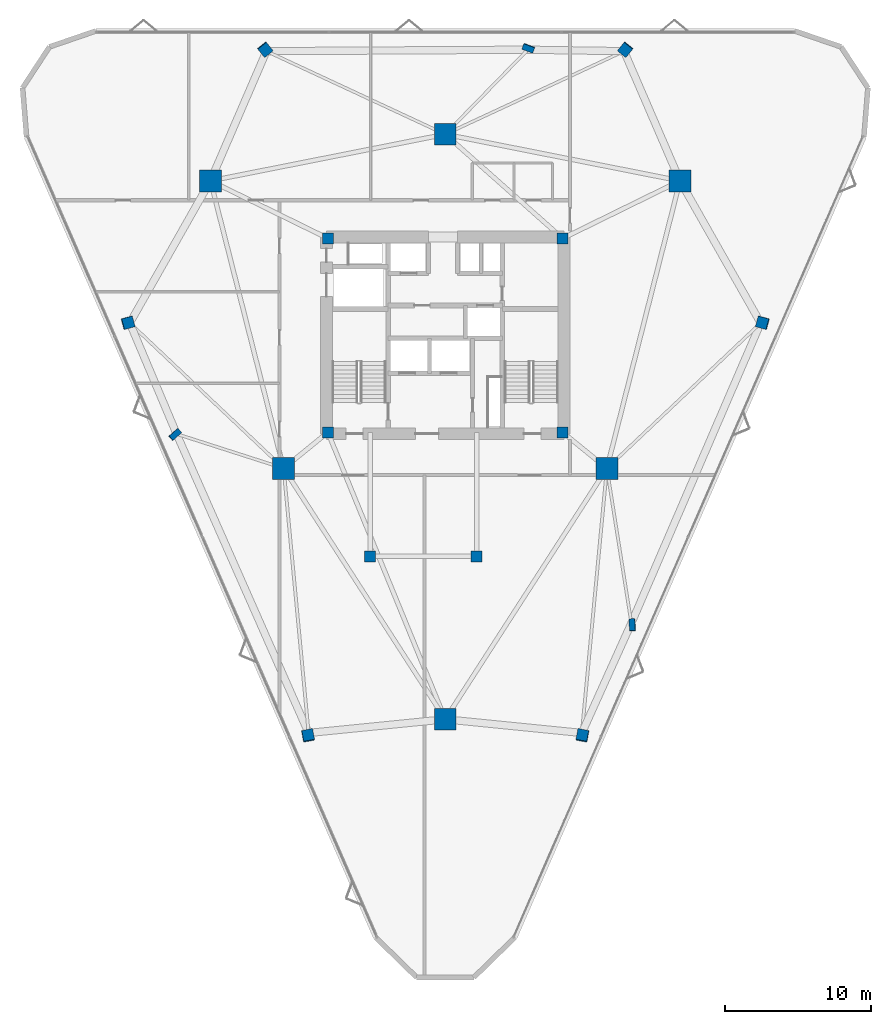
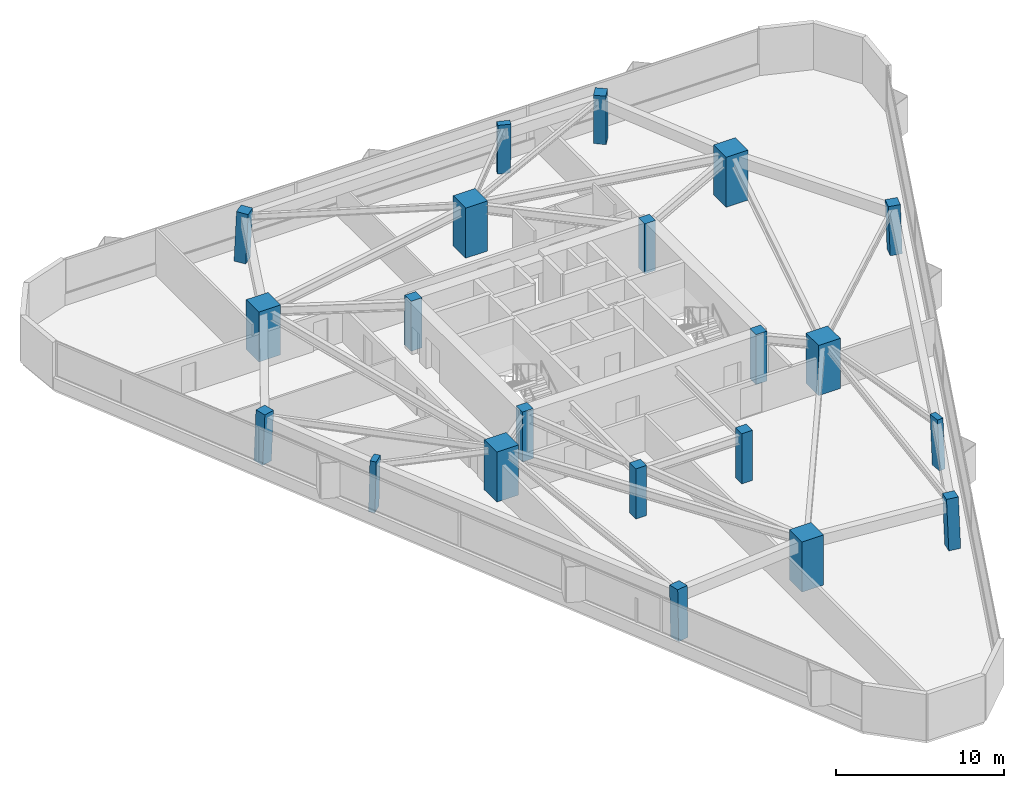
# One storey, part 1 of 14: 21 columns.
"""IFC4 building model written with IfcOpenShell, lengths in metres."""

from ifc_helpers import new_model, si_unit, direction, frame, origin, origin_2d, place, context, subcontext, project, spatial, rectangle, extrude, material, material_profile, profile_set, type_object, element, save


model = new_model("IFC4")

# Units and contexts
model_context = context("Model", 3, precision=1e-05, world=origin(), true_north=direction((0.0, 1.0)))
body_context = subcontext(model_context, "Body", "Model", "MODEL_VIEW")
ifc_project = project(units=[si_unit("LENGTHUNIT", "METRE"), si_unit("AREAUNIT", "SQUARE_METRE"), si_unit("VOLUMEUNIT", "CUBIC_METRE"), si_unit("PLANEANGLEUNIT", "RADIAN"), si_unit("MASSUNIT", "GRAM", prefix="KILO")], contexts=[model_context])

# Site, building, storey
site_placement = place(None, origin())
site = spatial("IfcSite", under=ifc_project, at=site_placement, CompositionType="ELEMENT")
building_placement = place(site_placement, origin())
building = spatial("IfcBuilding", under=site, at=building_placement, Name="Talyreon Biosciences Tower", CompositionType="ELEMENT")
storey_placement = place(building_placement, frame((0.0, 0.0, 141.800048828125)))
storey = spatial("IfcBuildingStorey", under=building, at=storey_placement, Name="L37", CompositionType="ELEMENT", Elevation=141.800048828125)

# Columns
ifc_material_1 = material(Name="Precast concrete C45/55", Category="concrete")
ifc_material_profile_1 = material_profile(ifc_material_1, rectangle(XDim=0.800048828125, YDim=0.39990234375, at=origin_2d()), Name="RC 800x400")
ifc_profile_set_1 = profile_set([ifc_material_profile_1], Name="Precast concrete C45/55")
column_type_1 = type_object("IfcColumnType", Name="FacadePilaster_800x400", PredefinedType="PILASTER", material=ifc_profile_set_1)
column_1_placement = place(storey_placement, frame((78.836181640625, 48.1201171875, 0.0029296875), z_axis=(-0.019611953815, 0.038353752683, 0.999071749637), x_axis=(0.060933812854, -0.997360550766, 0.039484202248)))
element("IfcColumn", 1, at=column_1_placement, inside=storey, type_object=column_type_1, Name="L37 Facade Pilaster PL-SE", PredefinedType="PILASTER", context=body_context, shape_type="SweptSolid", body=[
    extrude(rectangle(XDim=0.800048828125, YDim=0.39990234375, at=origin_2d()), origin(), (0.0, 0.0, 1.0), 3.6474609375),
])
column_2_placement = place(storey_placement, frame((71.70458984375, 87.7138671875, 0.0029296875), z_axis=(-0.012453496874, -0.033544096418, 0.99935964698), x_axis=(-0.937477612418, 0.348045580658, 0.0)))
element("IfcColumn", 2, at=column_2_placement, inside=storey, type_object=column_type_1, Name="L37 Facade Pilaster PL-N", PredefinedType="PILASTER", context=body_context, shape_type="SweptSolid", body=[
    extrude(rectangle(XDim=0.800048828125, YDim=0.39990234375, at=origin_2d()), origin(), (0.0, 0.0, 1.0), 3.646484375),
])
column_3_placement = place(storey_placement, frame((47.459228515625, 61.197998046875, 0.0029296875), z_axis=(0.032006476949, 0.010512587617, 0.999432374368), x_axis=(0.745564660591, 0.665717533298, -0.030878839642)))
element("IfcColumn", 3, at=column_3_placement, inside=storey, type_object=column_type_1, Name="L37 Facade Pilaster PL-SW", PredefinedType="PILASTER", context=body_context, shape_type="SweptSolid", body=[
    extrude(rectangle(XDim=0.800048828125, YDim=0.39990234375, at=origin_2d()), origin(), (0.0, 0.0, 1.0), 3.64599609375),
])
ifc_material_2 = material(Name="Concrete C60/75", Category="concrete")
ifc_material_profile_2 = material_profile(ifc_material_2, rectangle(XDim=1.5, YDim=1.5, at=origin_2d()), Name="RC 1500x1500")
ifc_profile_set_2 = profile_set([ifc_material_profile_2], Name="Concrete C60/75")
column_type_2 = type_object("IfcColumnType", Name="MegaColumn_1500", PredefinedType="COLUMN", material=ifc_profile_set_2)
for number, where, z_axis, x_axis, name in (
    (4, (66.0, 41.6669921875, 0.0), (0.0, 0.0, 1.0), (1.0, 0.0, 0.0), "L37 Composite Mega-Column MC1"),
    (5, (82.102294921875, 78.5986328125, 0.0), (0.0, 0.0, 1.0), (1.0, 0.0, 0.0), "L37 Composite Mega-Column MC2"),
    (6, (49.897705078125, 78.5986328125, 0.0), (0.0, 0.0, 1.0), (1.0, 0.0, 0.0), "L37 Composite Mega-Column MC3"),
    (7, (77.086181640625, 58.88037109375, 0.0), (0.0, 0.0, 1.0), (1.0, 0.0, 0.0), "L37 Composite Mega-Column MC4"),
    (8, (66.0, 81.788818359375, 0.0), (0.0, 0.0, 1.0), (1.0, 0.0, 0.0), "L37 Composite Mega-Column MC5"),
    (9, (54.913818359375, 58.88037109375, 0.0), (0.0, 0.0, 1.0), (1.0, 0.0, 0.0), "L37 Composite Mega-Column MC6"),
):
    element("IfcColumn", number, at=place(storey_placement, frame(where, z_axis=z_axis, x_axis=x_axis)), inside=storey, type_object=column_type_2, Name=name, PredefinedType="COLUMN", context=body_context, shape_type="SweptSolid", body=[
        extrude(rectangle(XDim=1.5, YDim=1.5, at=origin_2d()), origin(), (0.0, 0.0, 1.0), 3.64990234375),
    ])
ifc_material_3 = material(Name="Concrete C50/60", Category="concrete")
ifc_material_profile_3 = material_profile(ifc_material_3, rectangle(XDim=0.75, YDim=0.75, at=origin_2d()), Name="RC 750x750")
ifc_profile_set_3 = profile_set([ifc_material_profile_3], Name="Concrete C50/60")
column_type_3 = type_object("IfcColumnType", Name="PerimeterColumn_750", PredefinedType="COLUMN", material=ifc_profile_set_3)
for number, where, z_axis, x_axis, name in (
    (10, (57.949951171875, 61.35009765625, 0.0), (0.0, 0.0, 1.0), (1.0, 0.0, 0.0), "L37 Core Column CC1"),
    (11, (74.050048828125, 61.35009765625, 0.0), (0.0, 0.0, 1.0), (1.0, 0.0, 0.0), "L37 Core Column CC2"),
    (12, (74.050048828125, 74.64990234375, 0.0), (0.0, 0.0, 1.0), (1.0, 0.0, 0.0), "L37 Core Column CC3"),
    (13, (57.949951171875, 74.64990234375, 0.0), (0.0, 0.0, 1.0), (1.0, 0.0, 0.0), "L37 Core Column CC4"),
    (14, (60.85009765625, 52.840087890625, 0.0), (0.0, 0.0, 1.0), (1.0, 0.0, 0.0), "L37 Core Column CSW"),
    (15, (68.14990234375, 52.840087890625, 0.0), (0.0, 0.0, 1.0), (1.0, 0.0, 0.0), "L37 Core Column CSE"),
):
    element("IfcColumn", number, at=place(storey_placement, frame(where, z_axis=z_axis, x_axis=x_axis)), inside=storey, type_object=column_type_3, Name=name, PredefinedType="COLUMN", context=body_context, shape_type="SweptSolid", body=[
        extrude(rectangle(XDim=0.75, YDim=0.75, at=origin_2d()), origin(), (0.0, 0.0, 1.0), 3.64990234375),
    ])
column_4_placement = place(storey_placement, frame((75.416748046875, 40.531494140625, 0.0029296875), z_axis=(-0.012375141264, 0.054450621561, 0.998439775695), x_axis=(-0.187059318435, -0.981014390014, 0.051181812914)))
element("IfcColumn", 16, at=column_4_placement, inside=storey, type_object=column_type_3, Name="L37 Tapering Perimeter Column PC-SE1", PredefinedType="COLUMN", context=body_context, shape_type="SweptSolid", body=[
    extrude(rectangle(XDim=0.75, YDim=0.75, at=origin_2d()), origin(), (0.0, 0.0, 1.0), 3.649658203125),
])
column_5_placement = place(storey_placement, frame((87.77685546875, 68.86669921875, 0.0029296875), z_axis=(-0.039296334646, -0.005690269923, 0.99921139851), x_axis=(0.963714798854, -0.264441359974, 0.036394417214)))
element("IfcColumn", 17, at=column_5_placement, inside=storey, type_object=column_type_3, Name="L37 Tapering Perimeter Column PC-SE2", PredefinedType="COLUMN", context=body_context, shape_type="SweptSolid", body=[
    extrude(rectangle(XDim=0.75, YDim=0.75, at=origin_2d()), origin(), (0.0, 0.0, 1.0), 3.64697265625),
])
for number, where, z_axis, x_axis, name in (
    (18, (78.360107421875, 87.614013671875, 0.0029296875), (-0.026907963191, -0.033534551141, 0.999075270136), (-0.779956681152, 0.625833504637, 0.0), "L37 Tapering Perimeter Column PC-N1"),
    (19, (53.639892578125, 87.614013671875, 0.0029296875), (0.026907963191, -0.033534551141, 0.999075270136), (-0.779956681152, -0.625833504637, 0.0), "L37 Tapering Perimeter Column PC-N2"),
):
    element("IfcColumn", number, at=place(storey_placement, frame(where, z_axis=z_axis, x_axis=x_axis)), inside=storey, type_object=column_type_3, Name=name, PredefinedType="COLUMN", context=body_context, shape_type="SweptSolid", body=[
        extrude(rectangle(XDim=0.75, YDim=0.75, at=origin_2d()), origin(), (0.0, 0.0, 1.0), 3.6474609375),
    ])
column_6_placement = place(storey_placement, frame((44.22314453125, 68.86669921875, 0.0029296875), z_axis=(0.039229493406, -0.00569028488, 0.999214024874), x_axis=(0.963781153765, 0.264207765994, -0.036333786413)))
element("IfcColumn", 20, at=column_6_placement, inside=storey, type_object=column_type_3, Name="L37 Tapering Perimeter Column PC-SW1", PredefinedType="COLUMN", context=body_context, shape_type="SweptSolid", body=[
    extrude(rectangle(XDim=0.75, YDim=0.75, at=origin_2d()), origin(), (0.0, 0.0, 1.0), 3.64697265625),
])
column_7_placement = place(storey_placement, frame((56.583251953125, 40.531494140625, 0.0029296875), z_axis=(0.012375141264, 0.054450621561, 0.998439775695), x_axis=(-0.187059318435, 0.981014390014, -0.051181812914)))
element("IfcColumn", 21, at=column_7_placement, inside=storey, type_object=column_type_3, Name="L37 Tapering Perimeter Column PC-SW2", PredefinedType="COLUMN", context=body_context, shape_type="SweptSolid", body=[
    extrude(rectangle(XDim=0.75, YDim=0.75, at=origin_2d()), origin(), (0.0, 0.0, 1.0), 3.649658203125),
])

save(model, "model.ifc")
